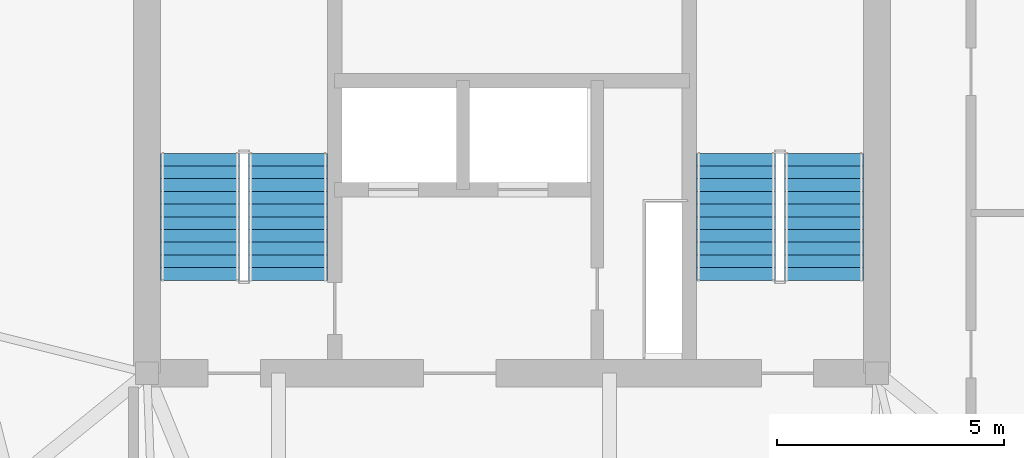
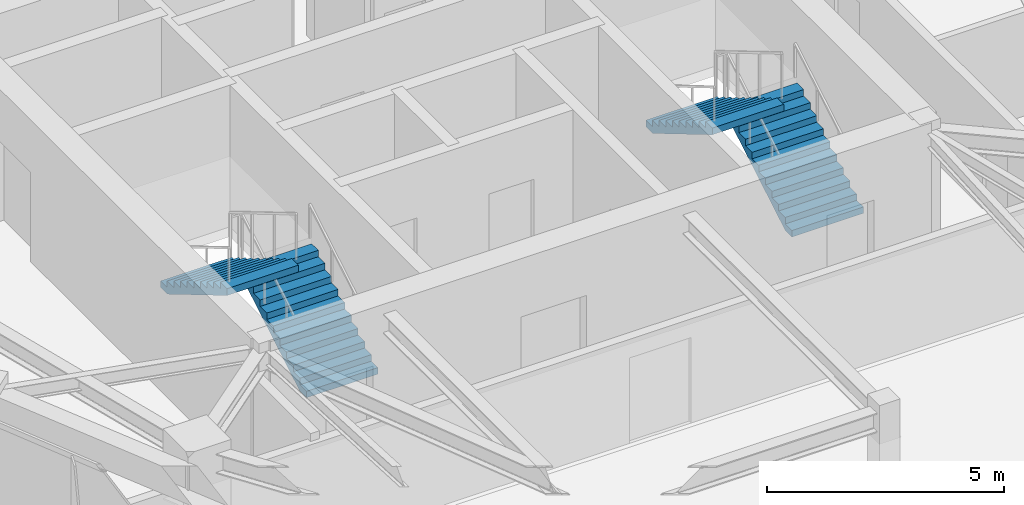
# One storey, part 8 of 9: 4 stair flights, 2 elements without a shape of their own.
"""IFC4 building model written with IfcOpenShell, lengths in metres."""

from ifc_helpers import new_model, si_unit, direction, frame, origin, place, context, subcontext, project, spatial, polyline, outline, extrude, material, type_object, element, aggregate, save


model = new_model("IFC4")

# Units and contexts
model_context = context("Model", 3, precision=1e-05, world=origin(), true_north=direction((0.0, 1.0)))
body_context = subcontext(model_context, "Body", "Model", "MODEL_VIEW")
ifc_project = project(units=[si_unit("LENGTHUNIT", "METRE"), si_unit("AREAUNIT", "SQUARE_METRE"), si_unit("VOLUMEUNIT", "CUBIC_METRE"), si_unit("PLANEANGLEUNIT", "RADIAN"), si_unit("MASSUNIT", "GRAM", prefix="KILO")], contexts=[model_context])

# Site, building, storey
site_placement = place(None, origin())
site = spatial("IfcSite", under=ifc_project, at=site_placement, CompositionType="ELEMENT")
building_placement = place(site_placement, origin())
building = spatial("IfcBuilding", under=site, at=building_placement, Name="Talyreon Biosciences Tower", CompositionType="ELEMENT")
storey_placement = place(building_placement, frame((0.0, 0.0, 291.10009765625)))
storey = spatial("IfcBuildingStorey", under=building, at=storey_placement, Name="L77", CompositionType="ELEMENT", Elevation=291.10009765625)

# Stair, stair flights
ifc_material = material(Name="Concrete C40/50", Category="concrete")
stair_type = type_object("IfcStairType", Name="DoglegEscapeStair_3650", PredefinedType="HALF_TURN_STAIR", material=ifc_material)
stair_1_placement = place(storey_placement, origin())
stair_1 = element("IfcStair", 1, at=stair_1_placement, inside=storey, type_object=stair_type, Name="L77 Core Escape Stair 1", PredefinedType="HALF_TURN_STAIR")
stair_flight_type = type_object("IfcStairFlightType", Name="PrecastStairFlight_3650", PredefinedType="STRAIGHT", material=ifc_material)
stair_flight_1_placement = place(storey_placement, frame((61.06005859375, 63.39990234375, 0.0), z_axis=(0.0, 0.0, 1.0), x_axis=(0.0, 1.0, 0.0)))
stair_flight_1 = element("IfcStairFlight", 2, at=stair_flight_1_placement, type_object=stair_flight_type, Name="ST-1 flight 1", NumberOfRisers=11, NumberOfTreads=10, PredefinedType="STRAIGHT", RiserHeight=0.165909091, TreadLength=0.28, context=body_context, shape_type="SweptSolid", body=[
    extrude(outline(polyline([(0.0, 0.0), (0.0, 0.166015625), (0.280029296875, 0.166015625), (0.280029296875, 0.331787109375), (0.56005859375, 0.331787109375), (0.56005859375, 0.497802734375), (0.840087890625, 0.497802734375), (0.840087890625, 0.66357421875), (1.1201171875, 0.66357421875), (1.1201171875, 0.82958984375), (1.39990234375, 0.82958984375), (1.39990234375, 0.995361328125), (1.679931640625, 0.995361328125), (1.679931640625, 1.161376953125), (1.9599609375, 1.161376953125), (1.9599609375, 1.327392578125), (2.239990234375, 1.327392578125), (2.239990234375, 1.4931640625), (2.52001953125, 1.4931640625), (2.52001953125, 1.6591796875), (2.800048828125, 1.6591796875), (2.800048828125, 1.824951171875), (2.800048828125, 1.48486328125), (0.2939453125, 0.0), (0.0, 0.0)])), frame((0.0, 0.8701171875, 0.0), z_axis=(0.0, -1.0, 0.0), x_axis=(1.0, 0.0, 0.0)), (0.0, 0.0, 1.0), 1.739990234375),
])
stair_flight_2_placement = place(storey_placement, frame((59.1201171875, 66.199951171875, 1.824951171875), z_axis=(0.0, 0.0, 1.0), x_axis=(0.0, -1.0, 0.0)))
stair_flight_2 = element("IfcStairFlight", 3, at=stair_flight_2_placement, type_object=stair_flight_type, Name="ST-1 flight 2", NumberOfRisers=11, NumberOfTreads=10, PredefinedType="STRAIGHT", RiserHeight=0.165909091, TreadLength=0.28, context=body_context, shape_type="SweptSolid", body=[
    extrude(outline(polyline([(0.0, 0.0), (0.0, 0.166015625), (0.280029296875, 0.166015625), (0.280029296875, 0.331787109375), (0.56005859375, 0.331787109375), (0.56005859375, 0.497802734375), (0.840087890625, 0.497802734375), (0.840087890625, 0.66357421875), (1.1201171875, 0.66357421875), (1.1201171875, 0.82958984375), (1.39990234375, 0.82958984375), (1.39990234375, 0.995361328125), (1.679931640625, 0.995361328125), (1.679931640625, 1.161376953125), (1.9599609375, 1.161376953125), (1.9599609375, 1.327392578125), (2.239990234375, 1.327392578125), (2.239990234375, 1.4931640625), (2.52001953125, 1.4931640625), (2.52001953125, 1.6591796875), (2.800048828125, 1.6591796875), (2.800048828125, 1.824951171875), (2.800048828125, 1.48486328125), (0.2939453125, 0.0), (0.0, 0.0)])), frame((0.0, 0.8701171875, 0.0), z_axis=(0.0, -1.0, 0.0), x_axis=(1.0, 0.0, 0.0)), (0.0, 0.0, 1.0), 1.739990234375),
])
aggregate(stair_1, [stair_flight_1, stair_flight_2])

stair_2_placement = place(storey_placement, origin())
stair_2 = element("IfcStair", 4, at=stair_2_placement, inside=storey, type_object=stair_type, Name="L77 Core Escape Stair 2", PredefinedType="HALF_TURN_STAIR")
stair_flight_3_placement = place(storey_placement, frame((72.8798828125, 63.39990234375, 0.0), z_axis=(0.0, 0.0, 1.0), x_axis=(0.0, 1.0, 0.0)))
stair_flight_3 = element("IfcStairFlight", 5, at=stair_flight_3_placement, type_object=stair_flight_type, Name="ST-2 flight 1", NumberOfRisers=11, NumberOfTreads=10, PredefinedType="STRAIGHT", RiserHeight=0.165909091, TreadLength=0.28, context=body_context, shape_type="SweptSolid", body=[
    extrude(outline(polyline([(0.0, 0.0), (0.0, 0.166015625), (0.280029296875, 0.166015625), (0.280029296875, 0.331787109375), (0.56005859375, 0.331787109375), (0.56005859375, 0.497802734375), (0.840087890625, 0.497802734375), (0.840087890625, 0.66357421875), (1.1201171875, 0.66357421875), (1.1201171875, 0.82958984375), (1.39990234375, 0.82958984375), (1.39990234375, 0.995361328125), (1.679931640625, 0.995361328125), (1.679931640625, 1.161376953125), (1.9599609375, 1.161376953125), (1.9599609375, 1.327392578125), (2.239990234375, 1.327392578125), (2.239990234375, 1.4931640625), (2.52001953125, 1.4931640625), (2.52001953125, 1.6591796875), (2.800048828125, 1.6591796875), (2.800048828125, 1.824951171875), (2.800048828125, 1.48486328125), (0.2939453125, 0.0), (0.0, 0.0)])), frame((0.0, 0.8701171875, 0.0), z_axis=(0.0, -1.0, 0.0), x_axis=(1.0, 0.0, 0.0)), (0.0, 0.0, 1.0), 1.739990234375),
])
stair_flight_4_placement = place(storey_placement, frame((70.93994140625, 66.199951171875, 1.824951171875), z_axis=(0.0, 0.0, 1.0), x_axis=(0.0, -1.0, 0.0)))
stair_flight_4 = element("IfcStairFlight", 6, at=stair_flight_4_placement, type_object=stair_flight_type, Name="ST-2 flight 2", NumberOfRisers=11, NumberOfTreads=10, PredefinedType="STRAIGHT", RiserHeight=0.165909091, TreadLength=0.28, context=body_context, shape_type="SweptSolid", body=[
    extrude(outline(polyline([(0.0, 0.0), (0.0, 0.166015625), (0.280029296875, 0.166015625), (0.280029296875, 0.331787109375), (0.56005859375, 0.331787109375), (0.56005859375, 0.497802734375), (0.840087890625, 0.497802734375), (0.840087890625, 0.66357421875), (1.1201171875, 0.66357421875), (1.1201171875, 0.82958984375), (1.39990234375, 0.82958984375), (1.39990234375, 0.995361328125), (1.679931640625, 0.995361328125), (1.679931640625, 1.161376953125), (1.9599609375, 1.161376953125), (1.9599609375, 1.327392578125), (2.239990234375, 1.327392578125), (2.239990234375, 1.4931640625), (2.52001953125, 1.4931640625), (2.52001953125, 1.6591796875), (2.800048828125, 1.6591796875), (2.800048828125, 1.824951171875), (2.800048828125, 1.48486328125), (0.2939453125, 0.0), (0.0, 0.0)])), frame((0.0, 0.8701171875, 0.0), z_axis=(0.0, -1.0, 0.0), x_axis=(1.0, 0.0, 0.0)), (0.0, 0.0, 1.0), 1.739990234375),
])
aggregate(stair_2, [stair_flight_3, stair_flight_4])

save(model, "model.ifc")
